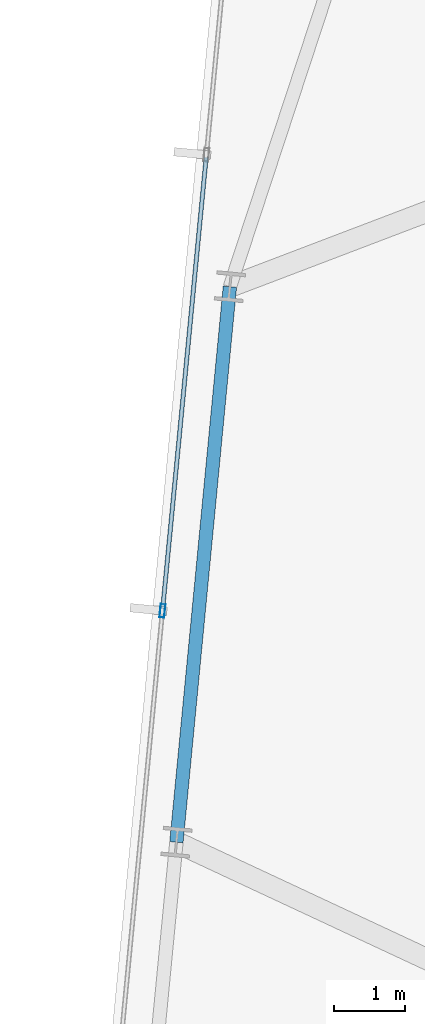
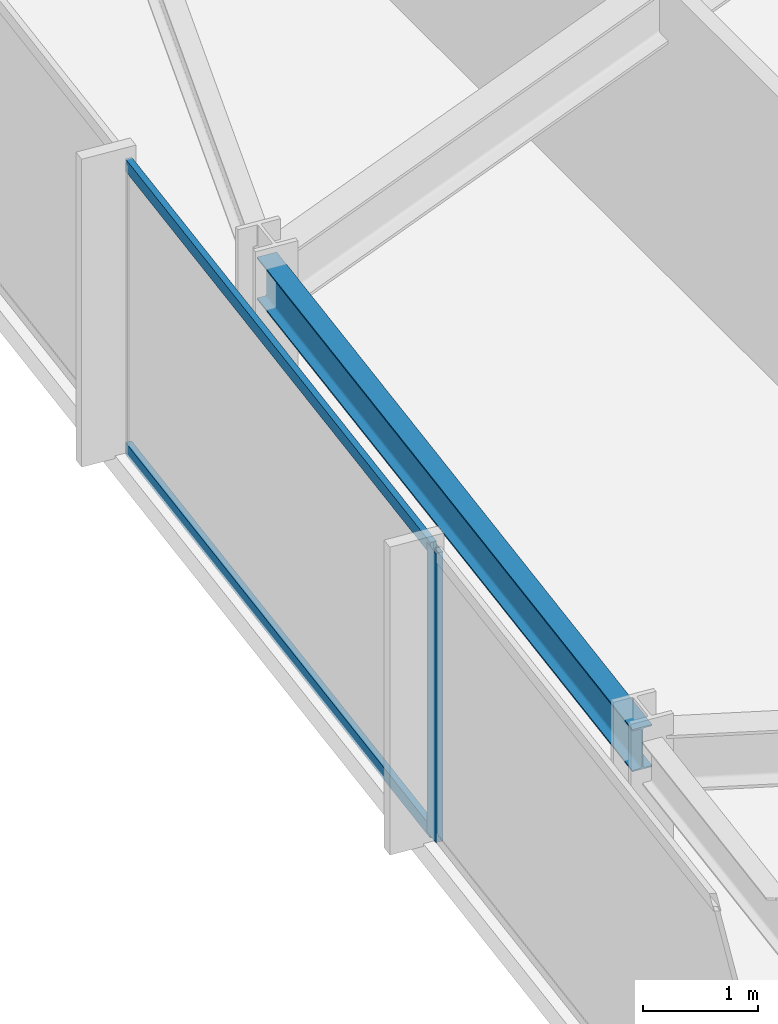
# One storey, part 10 of 37: 3 members, 1 beam, 1 element without a shape of its own.
"""IFC4 building model written with IfcOpenShell, lengths in metres."""

from ifc_helpers import new_model, si_unit, direction, frame, origin, origin_2d, place, context, subcontext, project, spatial, hollow_rectangle, i_section, extrude, material, material_profile, profile_set, type_object, element, aggregate, save


model = new_model("IFC4")

# Units and contexts
model_context = context("Model", 3, precision=1e-05, world=origin(), true_north=direction((0.0, 1.0)))
body_context = subcontext(model_context, "Body", "Model", "MODEL_VIEW")
ifc_project = project(units=[si_unit("LENGTHUNIT", "METRE"), si_unit("AREAUNIT", "SQUARE_METRE"), si_unit("VOLUMEUNIT", "CUBIC_METRE"), si_unit("PLANEANGLEUNIT", "RADIAN"), si_unit("MASSUNIT", "GRAM", prefix="KILO")], contexts=[model_context])

# Site, building, storey
site_placement = place(None, origin())
site = spatial("IfcSite", under=ifc_project, at=site_placement, CompositionType="ELEMENT")
building_placement = place(site_placement, origin())
building = spatial("IfcBuilding", under=site, at=building_placement, Name="Yelkora Congress Tower", CompositionType="ELEMENT")
storey_placement = place(building_placement, frame((0.0, 0.0, 182.0)))
storey = spatial("IfcBuildingStorey", under=building, at=storey_placement, Name="L50", CompositionType="ELEMENT", Elevation=182.0)

# Beam
ifc_material_1 = material(Name="Steel S355J2", Category="steel")
ifc_material_profile_1 = material_profile(ifc_material_1, i_section(OverallWidth=0.18994140625, OverallDepth=0.449951171875, WebThickness=0.009521484375, FlangeThickness=0.0146484375, FilletRadius=0.02099609375, at=origin_2d()), Name="IPE 450")
ifc_profile_set_1 = profile_set([ifc_material_profile_1], Name="Steel S355J2")
beam_type = type_object("IfcBeamType", Name="BM-SPAN-IPE450", PredefinedType="SPANDREL", material=ifc_profile_set_1)
beam_placement = place(storey_placement, frame((4.121826171875, 40.4580078125, 2.85498046875), z_axis=(-0.095864922257, -0.995394352345, 0.0), x_axis=(0.995394352345, -0.095864922257, 0.0)))
element("IfcBeam", 1, at=beam_placement, inside=storey, type_object=beam_type, Name="L50 Perimeter Beam 17", PredefinedType="SPANDREL", context=body_context, shape_type="SweptSolid", body=[
    extrude(i_section(OverallWidth=0.18994140625, OverallDepth=0.449951171875, WebThickness=0.009521484375, FlangeThickness=0.0146484375, FilletRadius=0.02099609375, at=origin_2d()), origin(), (0.0, 0.0, 1.0), 7.89990234375),
])

# Curtain wall, members
ifc_material_2 = material(Name="Anodised aluminium and insulated glass", Category="aluminium")
curtain_wall_type = type_object("IfcCurtainWallType", Name="CW-SYS-B3", PredefinedType="NOTDEFINED", material=ifc_material_2)
curtain_wall_placement = place(storey_placement, origin())
curtain_wall = element("IfcCurtainWall", 2, at=curtain_wall_placement, inside=storey, type_object=curtain_wall_type, Name="L50 Unitised Curtain Wall 5", PredefinedType="NOTDEFINED")
ifc_material_3 = material(Name="Anodised aluminium 6063-T6", Category="aluminium")
ifc_material_profile_2 = material_profile(ifc_material_3, hollow_rectangle(XDim=0.070068359375, YDim=0.18994140625, WallThickness=0.00390625, at=origin_2d()), Name="ALU 70x190x4")
ifc_profile_set_2 = profile_set([ifc_material_profile_2], Name="Anodised aluminium 6063-T6")
member_type_1 = type_object("IfcMemberType", Name="MEM-ML-B3", PredefinedType="MULLION", material=ifc_profile_set_2)
member_1_placement = place(storey_placement, frame((3.167724609375, 35.870361328125, 0.0), z_axis=(0.0, 0.0, 1.0), x_axis=(-0.995396242473, 0.095845294465, 0.0)))
member_1 = element("IfcMember", 3, at=member_1_placement, type_object=member_type_1, Name="CW-B3 mullion 4", PredefinedType="MULLION", context=body_context, shape_type="SweptSolid", body=[
    extrude(hollow_rectangle(XDim=0.070068359375, YDim=0.18994140625, WallThickness=0.00390625, at=origin_2d()), origin(), (0.0, 0.0, 1.0), 3.080078125),
])
ifc_material_profile_3 = material_profile(ifc_material_3, hollow_rectangle(XDim=0.06005859375, YDim=0.1298828125, WallThickness=0.00390625, at=origin_2d()), Name="ALU 60x130x4")
ifc_profile_set_3 = profile_set([ifc_material_profile_3], Name="Anodised aluminium 6063-T6")
member_type_2 = type_object("IfcMemberType", Name="MEM-TR-B3", PredefinedType="USERDEFINED", material=ifc_profile_set_3)
member_2_placement = place(storey_placement, frame((3.171142578125, 35.9052734375, 0.030029296875), z_axis=(0.095847313538, 0.995396048057, 0.0), x_axis=(-0.995396048057, 0.095847313538, 0.0)))
member_2 = element("IfcMember", 4, at=member_2_placement, type_object=member_type_2, Name="CW-B3 transom 4.1", ObjectType="TRANSOM", PredefinedType="USERDEFINED", context=body_context, shape_type="SweptSolid", body=[
    extrude(hollow_rectangle(XDim=0.06005859375, YDim=0.1298828125, WallThickness=0.00390625, at=origin_2d()), origin(), (0.0, 0.0, 1.0), 6.413818359375),
])
member_3_placement = place(storey_placement, frame((3.171142578125, 35.9052734375, 3.050048828125), z_axis=(0.095847313538, 0.995396048057, 0.0), x_axis=(-0.995396048057, 0.095847313538, 0.0)))
member_3 = element("IfcMember", 5, at=member_3_placement, type_object=member_type_2, Name="CW-B3 transom 4.2", ObjectType="TRANSOM", PredefinedType="USERDEFINED", context=body_context, shape_type="SweptSolid", body=[
    extrude(hollow_rectangle(XDim=0.06005859375, YDim=0.1298828125, WallThickness=0.00390625, at=origin_2d()), origin(), (0.0, 0.0, 1.0), 6.413818359375),
])
aggregate(curtain_wall, [member_1, member_2, member_3])

save(model, "model.ifc")
